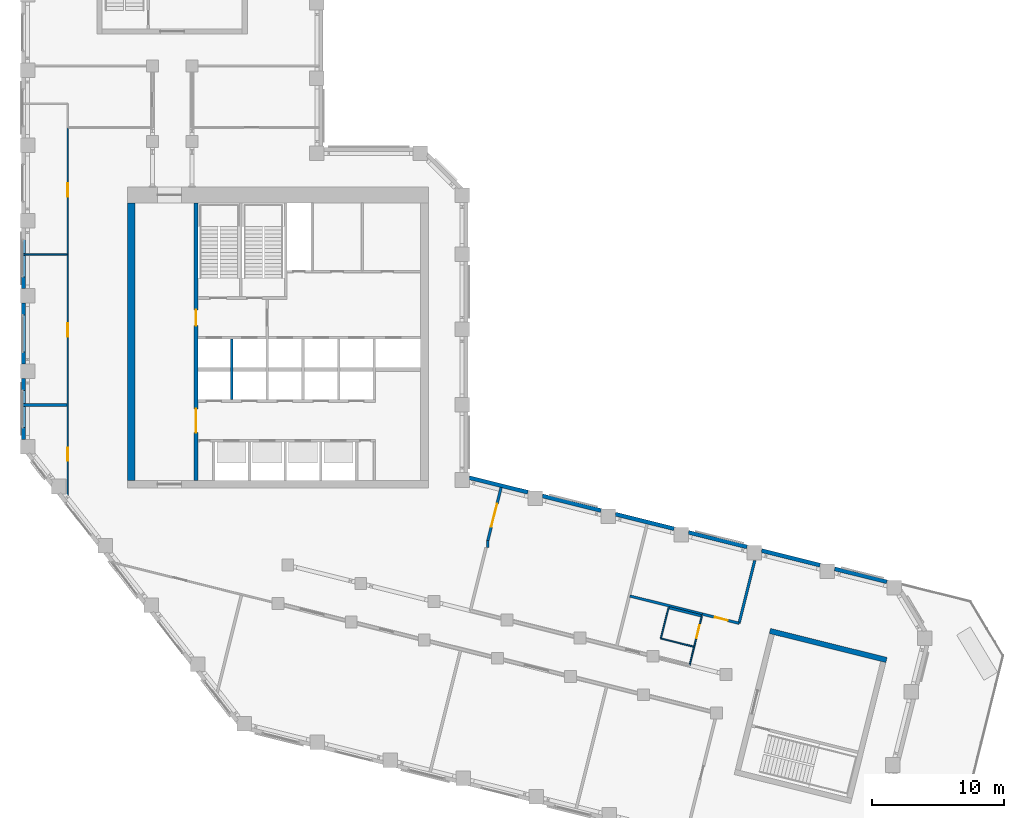
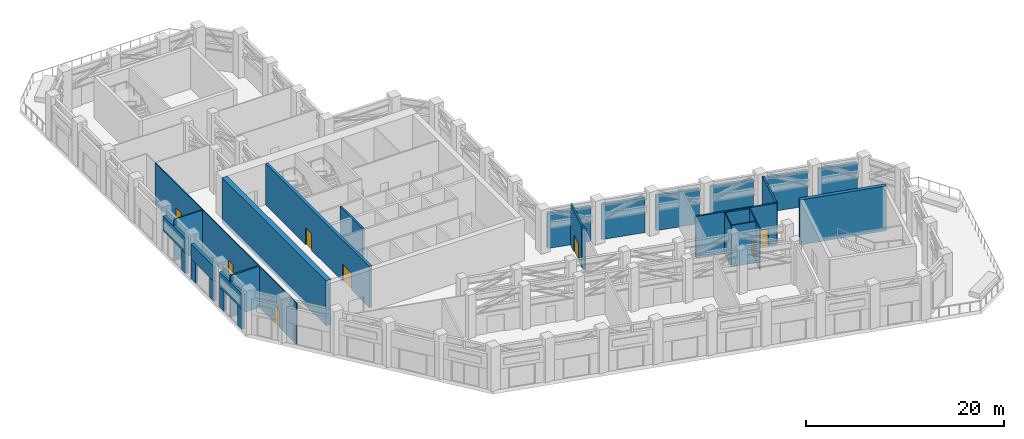
# One storey, part 13 of 21: 30 walls, 8 doors, 8 openings.
"""IFC4 building model written with IfcOpenShell, lengths in metres."""

from ifc_helpers import new_model, si_unit, direction, frame, frame_2d, origin, place, context, subcontext, project, spatial, rectangle, extrude, material, layer, layer_set, type_object, element, fill, save


model = new_model("IFC4")

# Units and contexts
model_context = context("Model", 3, precision=1e-05, world=origin(), true_north=direction((0.0, 1.0)))
body_context = subcontext(model_context, "Body", "Model", "MODEL_VIEW")
ifc_project = project(units=[si_unit("LENGTHUNIT", "METRE"), si_unit("AREAUNIT", "SQUARE_METRE"), si_unit("VOLUMEUNIT", "CUBIC_METRE"), si_unit("PLANEANGLEUNIT", "RADIAN"), si_unit("MASSUNIT", "GRAM", prefix="KILO")], contexts=[model_context])

# Site, building, storey
site_placement = place(None, origin())
site = spatial("IfcSite", under=ifc_project, at=site_placement, CompositionType="ELEMENT")
building_placement = place(site_placement, origin())
building = spatial("IfcBuilding", under=site, at=building_placement, Name="Meshkara Civic Tower", CompositionType="ELEMENT")
storey_placement = place(building_placement, frame((0.0, 0.0, 284.39990234375)))
storey = spatial("IfcBuildingStorey", under=building, at=storey_placement, Name="L65", CompositionType="ELEMENT", Elevation=284.39990234375)

# Wall
ifc_material_1 = material(Name="Concrete C60", Category="concrete")
ifc_layer_1 = layer(ifc_material_1, 0.60009765625)
ifc_layer_set_1 = layer_set([ifc_layer_1], Name="Core ring wall 600 C60")
wall_type_1 = type_object("IfcWallType", Name="Core ring wall 600 C60", PredefinedType="SHEAR", material=ifc_layer_set_1)
wall_1_placement = place(storey_placement, frame((8.300048828125, 14.699951171875, -0.449951171875), z_axis=(0.0, 0.0, 1.0), x_axis=(0.0, 1.0, 0.0)))
element("IfcWall", 1, at=wall_1_placement, inside=storey, type_object=wall_type_1, Name="L65-C003", PredefinedType="SHEAR", context=body_context, shape_type="SweptSolid", body=[
    extrude(rectangle(XDim=21.0, YDim=0.60009765625, at=frame_2d((10.5, 0.0))), origin(), (0.0, 0.0, 1.0), 5.550048828125),
])

# Wall, openings, doors
ifc_material_2 = material(Name="Concrete C60", Category="concrete")
ifc_layer_2 = layer(ifc_material_2, 0.300048828125)
ifc_layer_set_2 = layer_set([ifc_layer_2], Name="Core shear wall 300 C60")
wall_type_2 = type_object("IfcWallType", Name="Core shear wall 300 C60", PredefinedType="SHEAR", material=ifc_layer_set_2)
wall_2_placement = place(storey_placement, frame((13.199951171875, 14.699951171875, 0.0), z_axis=(0.0, 0.0, 1.0), x_axis=(0.0, 1.0, 0.0)))
wall_2 = element("IfcWall", 2, at=wall_2_placement, inside=storey, type_object=wall_type_2, Name="L65-C011", PredefinedType="SHEAR", context=body_context, shape_type="SweptSolid", body=[
    extrude(rectangle(XDim=21.0, YDim=0.300048828125, at=frame_2d((10.5, 0.0))), origin(), (0.0, 0.0, 1.0), 5.10009765625),
])
opening_1_placement = place(wall_2_placement, frame((3.60009765625, 0.0, 0.0)))
opening_1 = element("IfcOpeningElement", 3, at=opening_1_placement, cuts=wall_2, Name="Opening L65-K023", PredefinedType="OPENING", context=body_context, shape_type="SweptSolid", body=[
    extrude(rectangle(XDim=1.800048828125, YDim=2.10009765625, at=frame_2d((0.89990234375, 1.050048828125))), frame((0.0, 0.159912109375, 0.0), z_axis=(0.0, -1.0, 0.0), x_axis=(1.0, 0.0, 0.0)), (0.0, 0.0, 1.0), 0.320068359375),
])
opening_2_placement = place(wall_2_placement, frame((11.699951171875, 0.0, 0.0)))
opening_2 = element("IfcOpeningElement", 4, at=opening_2_placement, cuts=wall_2, Name="Opening L65-K024", PredefinedType="OPENING", context=body_context, shape_type="SweptSolid", body=[
    extrude(rectangle(XDim=1.199951171875, YDim=2.10009765625, at=frame_2d((0.60009765625, 1.050048828125))), frame((0.0, 0.159912109375, 0.0), z_axis=(0.0, -1.0, 0.0), x_axis=(1.0, 0.0, 0.0)), (0.0, 0.0, 1.0), 0.320068359375),
])
ifc_material_3 = material(Name="Fire-rated door leaf in steel frame", Category="steel")
door_type_1 = type_object("IfcDoorType", Name="Core double door 1800 EI 60", OperationType="DOUBLE_DOOR_SINGLE_SWING", PredefinedType="DOOR", material=ifc_material_3)
door_1_placement = place(opening_1_placement, origin())
door_1 = element("IfcDoor", 5, at=door_1_placement, inside=storey, type_object=door_type_1, Name="L65-K023", OperationType="DOUBLE_DOOR_SINGLE_SWING", OverallHeight=2.10009765625, OverallWidth=1.800048828125, PredefinedType="DOOR", context=body_context, shape_type="SweptSolid", body=[
    extrude(rectangle(XDim=1.800048828125, YDim=2.10009765625, at=frame_2d((0.89990234375, 1.050048828125))), frame((0.0, 0.02490234375, 0.0), z_axis=(0.0, -1.0, 0.0), x_axis=(1.0, 0.0, 0.0)), (0.0, 0.0, 1.0), 0.050048828125),
])
fill(opening_1, door_1)
ifc_material_4 = material(Name="Fire-rated door leaf in steel frame", Category="steel")
door_type_2 = type_object("IfcDoorType", Name="Fire-fighting lobby door 1200 EI 120", OperationType="SINGLE_SWING_LEFT", PredefinedType="DOOR", material=ifc_material_4)
door_2_placement = place(opening_2_placement, origin())
door_2 = element("IfcDoor", 6, at=door_2_placement, inside=storey, type_object=door_type_2, Name="L65-K024", OperationType="SINGLE_SWING_LEFT", OverallHeight=2.10009765625, OverallWidth=1.199951171875, PredefinedType="DOOR", context=body_context, shape_type="SweptSolid", body=[
    extrude(rectangle(XDim=1.199951171875, YDim=2.10009765625, at=frame_2d((0.60009765625, 1.050048828125))), frame((0.0, 0.02490234375, 0.0), z_axis=(0.0, -1.0, 0.0), x_axis=(1.0, 0.0, 0.0)), (0.0, 0.0, 1.0), 0.050048828125),
])
fill(opening_2, door_2)

ifc_material_5 = material(Name="Corridor wall 100")
ifc_layer_3 = layer(ifc_material_5, 0.10009765625)
ifc_layer_set_3 = layer_set([ifc_layer_3], Name="Corridor wall 100")
wall_type_3 = type_object("IfcWallType", Name="Corridor wall 100", PredefinedType="PARTITIONING", material=ifc_layer_set_3)
wall_3_placement = place(storey_placement, frame((3.5, 12.7529296875, 0.0), z_axis=(0.0, 0.0, 1.0), x_axis=(0.0, 1.0, 0.0)))
wall_3 = element("IfcWall", 7, at=wall_3_placement, inside=storey, type_object=wall_type_3, Name="L65-R002", PredefinedType="PARTITIONING", context=body_context, shape_type="SweptSolid", body=[
    extrude(rectangle(XDim=28.64697265625, YDim=0.10009765625, at=frame_2d((14.323486328125, 0.0))), origin(), (0.0, 0.0, 1.0), 5.10009765625),
])
opening_3_placement = place(wall_3_placement, frame((3.422119140625, 0.0, 0.0)))
opening_3 = element("IfcOpeningElement", 8, at=opening_3_placement, cuts=wall_3, Name="Opening L65-P009", PredefinedType="OPENING", context=body_context, shape_type="SweptSolid", body=[
    extrude(rectangle(XDim=1.0, YDim=2.10009765625, at=frame_2d((0.5, 1.050048828125))), frame((0.0, 0.06005859375, 0.0), z_axis=(0.0, -1.0, 0.0), x_axis=(1.0, 0.0, 0.0)), (0.0, 0.0, 1.0), 0.1201171875),
])
opening_4_placement = place(wall_3_placement, frame((12.826904296875, 0.0, 0.0)))
opening_4 = element("IfcOpeningElement", 9, at=opening_4_placement, cuts=wall_3, Name="Opening L65-P011", PredefinedType="OPENING", context=body_context, shape_type="SweptSolid", body=[
    extrude(rectangle(XDim=1.0, YDim=2.10009765625, at=frame_2d((0.5, 1.050048828125))), frame((0.0, 0.06005859375, 0.0), z_axis=(0.0, -1.0, 0.0), x_axis=(1.0, 0.0, 0.0)), (0.0, 0.0, 1.0), 0.1201171875),
])
opening_5_placement = place(wall_3_placement, frame((23.427001953125, 0.0, 0.0)))
opening_5 = element("IfcOpeningElement", 10, at=opening_5_placement, cuts=wall_3, Name="Opening L65-P012", PredefinedType="OPENING", context=body_context, shape_type="SweptSolid", body=[
    extrude(rectangle(XDim=1.0, YDim=2.10009765625, at=frame_2d((0.5, 1.050048828125))), frame((0.0, 0.06005859375, 0.0), z_axis=(0.0, -1.0, 0.0), x_axis=(1.0, 0.0, 0.0)), (0.0, 0.0, 1.0), 0.1201171875),
])
ifc_material_6 = material(Name="Door 1000 x 2100")
door_type_3 = type_object("IfcDoorType", Name="Door 1000 x 2100", OperationType="SINGLE_SWING_LEFT", PredefinedType="DOOR", material=ifc_material_6)
door_3_placement = place(opening_3_placement, origin())
door_3 = element("IfcDoor", 11, at=door_3_placement, inside=storey, type_object=door_type_3, Name="L65-P009", OperationType="SINGLE_SWING_LEFT", OverallHeight=2.10009765625, OverallWidth=1.0, PredefinedType="DOOR", context=body_context, shape_type="SweptSolid", body=[
    extrude(rectangle(XDim=1.0, YDim=2.10009765625, at=frame_2d((0.5, 1.050048828125))), frame((0.0, 0.02490234375, 0.0), z_axis=(0.0, -1.0, 0.0), x_axis=(1.0, 0.0, 0.0)), (0.0, 0.0, 1.0), 0.050048828125),
])
fill(opening_3, door_3)
door_4_placement = place(opening_4_placement, origin())
door_4 = element("IfcDoor", 12, at=door_4_placement, inside=storey, type_object=door_type_3, Name="L65-P011", OperationType="SINGLE_SWING_LEFT", OverallHeight=2.10009765625, OverallWidth=1.0, PredefinedType="DOOR", context=body_context, shape_type="SweptSolid", body=[
    extrude(rectangle(XDim=1.0, YDim=2.10009765625, at=frame_2d((0.5, 1.050048828125))), frame((0.0, 0.02490234375, 0.0), z_axis=(0.0, -1.0, 0.0), x_axis=(1.0, 0.0, 0.0)), (0.0, 0.0, 1.0), 0.050048828125),
])
fill(opening_4, door_4)
door_5_placement = place(opening_5_placement, origin())
door_5 = element("IfcDoor", 13, at=door_5_placement, inside=storey, type_object=door_type_3, Name="L65-P012", OperationType="SINGLE_SWING_LEFT", OverallHeight=2.10009765625, OverallWidth=1.0, PredefinedType="DOOR", context=body_context, shape_type="SweptSolid", body=[
    extrude(rectangle(XDim=1.0, YDim=2.10009765625, at=frame_2d((0.5, 1.050048828125))), frame((0.0, 0.02490234375, 0.0), z_axis=(0.0, -1.0, 0.0), x_axis=(1.0, 0.0, 0.0)), (0.0, 0.0, 1.0), 0.050048828125),
])
fill(opening_5, door_5)

# Wall, opening, door
wall_4_placement = place(storey_placement, frame((50.568115234375, 0.68701171875, 0.0), z_axis=(0.0, 0.0, 1.0), x_axis=(0.242073006689, 0.970258037551, 0.0)))
wall_4 = element("IfcWall", 14, at=wall_4_placement, inside=storey, type_object=wall_type_3, Name="L65-R022", PredefinedType="PARTITIONING", context=body_context, shape_type="SweptSolid", body=[
    extrude(rectangle(XDim=3.849609375, YDim=0.10009765625, at=frame_2d((1.9248046875, 0.0))), origin(), (0.0, 0.0, 1.0), 5.10009765625),
])
opening_6_placement = place(wall_4_placement, frame((2.1298828125, 0.0, 0.0)))
opening_6 = element("IfcOpeningElement", 15, at=opening_6_placement, cuts=wall_4, Name="Opening L65-P006", PredefinedType="OPENING", context=body_context, shape_type="SweptSolid", body=[
    extrude(rectangle(XDim=1.0, YDim=2.10009765625, at=frame_2d((0.5, 1.050048828125))), frame((0.0, 0.06005859375, 0.0), z_axis=(0.0, -1.0, 0.0), x_axis=(1.0, 0.0, 0.0)), (0.0, 0.0, 1.0), 0.1201171875),
])
door_6_placement = place(opening_6_placement, origin())
door_6 = element("IfcDoor", 16, at=door_6_placement, inside=storey, type_object=door_type_3, Name="L65-P006", OperationType="SINGLE_SWING_LEFT", OverallHeight=2.10009765625, OverallWidth=1.0, PredefinedType="DOOR", context=body_context, shape_type="SweptSolid", body=[
    extrude(rectangle(XDim=1.0, YDim=2.10009765625, at=frame_2d((0.5, 1.050048828125))), frame((0.0, 0.02490234375, 0.0), z_axis=(0.0, -1.0, 0.0), x_axis=(1.0, 0.0, 0.0)), (0.0, 0.0, 1.0), 0.050048828125),
])
fill(opening_6, door_6)

# Walls
ifc_material_7 = material(Name="Insulated infill panel with bronze anodised aluminium cladding", Category="aluminium")
ifc_layer_4 = layer(ifc_material_7, 0.300048828125)
ifc_layer_set_4 = layer_set([ifc_layer_4], Name="EXTERNAL INFILL WALL 300")
wall_type_4 = type_object("IfcWallType", Name="EXTERNAL INFILL WALL 300", PredefinedType="SOLIDWALL", material=ifc_layer_set_4)
wall_5_placement = place(storey_placement, frame((65.512939453125, 7.009033203125, 0.0), z_axis=(0.0, 0.0, 1.0), x_axis=(-0.970311173766, 0.241859930674, 0.0)))
element("IfcWall", 17, at=wall_5_placement, inside=storey, type_object=wall_type_4, Name="External wall", PredefinedType="SOLIDWALL", context=body_context, shape_type="SweptSolid", body=[
    extrude(rectangle(XDim=4.0810546875, YDim=0.300048828125, at=frame_2d((2.04052734375, 0.0))), origin(), (0.0, 0.0, 1.0), 4.35009765625),
])
wall_6_placement = place(storey_placement, frame((60.452880859375, 8.27099609375, 0.0), z_axis=(0.0, 0.0, 1.0), x_axis=(-0.97032153683, 0.241818351587, 0.0)))
element("IfcWall", 18, at=wall_6_placement, inside=storey, type_object=wall_type_4, Name="External wall", PredefinedType="SOLIDWALL", context=body_context, shape_type="SweptSolid", body=[
    extrude(rectangle(XDim=4.5654296875, YDim=0.300048828125, at=frame_2d((2.28271484375, 0.0))), origin(), (0.0, 0.0, 1.0), 4.35009765625),
])
for number, where, z_axis, x_axis, name in (
    (19, (54.923095703125, 9.64990234375, 0.0), (0.0, 0.0, 1.0), (-0.970337166083, 0.241755628927, 0.0), "External wall"),
    (20, (49.39208984375, 11.029052734375, 0.0), (0.0, 0.0, 1.0), (-0.970337166083, 0.241755628927, 0.0), "External wall"),
):
    element("IfcWall", number, at=place(storey_placement, frame(where, z_axis=z_axis, x_axis=x_axis)), inside=storey, type_object=wall_type_4, Name=name, PredefinedType="SOLIDWALL", context=body_context, shape_type="SweptSolid", body=[
        extrude(rectangle(XDim=4.566650390625, YDim=0.300048828125, at=frame_2d((2.283203125, 0.0))), origin(), (0.0, 0.0, 1.0), 4.35009765625),
    ])
wall_7_placement = place(storey_placement, frame((43.861083984375, 12.407958984375, 0.0), z_axis=(0.0, 0.0, 1.0), x_axis=(-0.970324663654, 0.241805804532, 0.0)))
element("IfcWall", 21, at=wall_7_placement, inside=storey, type_object=wall_type_4, Name="External wall", PredefinedType="SOLIDWALL", context=body_context, shape_type="SweptSolid", body=[
    extrude(rectangle(XDim=4.565673828125, YDim=0.300048828125, at=frame_2d((2.28271484375, 0.0))), origin(), (0.0, 0.0, 1.0), 4.35009765625),
])
wall_8_placement = place(storey_placement, frame((38.3310546875, 13.787109375, 0.0), z_axis=(0.0, 0.0, 1.0), x_axis=(-0.970337166083, 0.241755628927, 0.0)))
element("IfcWall", 22, at=wall_8_placement, inside=storey, type_object=wall_type_4, Name="External wall", PredefinedType="SOLIDWALL", context=body_context, shape_type="SweptSolid", body=[
    extrude(rectangle(XDim=4.566650390625, YDim=0.300048828125, at=frame_2d((2.283203125, 0.0))), origin(), (0.0, 0.0, 1.0), 4.35009765625),
])
wall_9_placement = place(storey_placement, frame((0.14990234375, 33.804931640625, 2.5), z_axis=(0.0, 0.0, 1.0), x_axis=(0.0, -1.0, 0.0)))
element("IfcWall", 23, at=wall_9_placement, inside=storey, type_object=wall_type_4, Name="External wall", PredefinedType="SOLIDWALL", context=body_context, shape_type="SweptSolid", body=[
    extrude(rectangle(XDim=4.598876953125, YDim=0.300048828125, at=frame_2d((2.29931640625, 0.0))), origin(), (0.0, 0.0, 1.0), 1.85009765625),
])
wall_10_placement = place(storey_placement, frame((0.14990234375, 28.10498046875, 2.5), z_axis=(0.0, 0.0, 1.0), x_axis=(0.0, -1.0, 0.0)))
element("IfcWall", 24, at=wall_10_placement, inside=storey, type_object=wall_type_4, Name="External wall", PredefinedType="SOLIDWALL", context=body_context, shape_type="SweptSolid", body=[
    extrude(rectangle(XDim=4.60009765625, YDim=0.300048828125, at=frame_2d((2.300048828125, 0.0))), origin(), (0.0, 0.0, 1.0), 1.85009765625),
])
wall_11_placement = place(storey_placement, frame((0.14990234375, 22.404052734375, 2.5), z_axis=(0.0, 0.0, 1.0), x_axis=(0.0, -1.0, 0.0)))
element("IfcWall", 25, at=wall_11_placement, inside=storey, type_object=wall_type_4, Name="External wall", PredefinedType="SOLIDWALL", context=body_context, shape_type="SweptSolid", body=[
    extrude(rectangle(XDim=4.59912109375, YDim=0.300048828125, at=frame_2d((2.299560546875, 0.0))), origin(), (0.0, 0.0, 1.0), 1.85009765625),
])
ifc_material_8 = material(Name="Concrete C60", Category="concrete")
ifc_layer_5 = layer(ifc_material_8, 0.39990234375)
ifc_layer_set_5 = layer_set([ifc_layer_5], Name="End core ring wall 400 C60")
wall_type_5 = type_object("IfcWallType", Name="End core ring wall 400 C60", PredefinedType="SHEAR", material=ifc_layer_set_5)
wall_12_placement = place(storey_placement, frame((56.64892578125, 3.29296875, -0.449951171875), z_axis=(0.0, 0.0, 1.0), x_axis=(0.970312696888, -0.241853820019, 0.0)))
element("IfcWall", 26, at=wall_12_placement, inside=storey, type_object=wall_type_5, Name="L65-C033", PredefinedType="SHEAR", context=body_context, shape_type="SweptSolid", body=[
    extrude(rectangle(XDim=9.100341796875, YDim=0.39990234375, at=frame_2d((4.55029296875, 0.0))), origin(), (0.0, 0.0, 1.0), 5.550048828125),
])
ifc_material_9 = material(Name="Fire-rated wall 200")
ifc_layer_6 = layer(ifc_material_9, 0.199951171875)
ifc_layer_set_6 = layer_set([ifc_layer_6], Name="Fire-rated wall 200")
wall_type_6 = type_object("IfcWallType", Name="Fire-rated wall 200", PredefinedType="PARTITIONING", material=ifc_layer_set_6)
wall_13_placement = place(storey_placement, frame((35.300048828125, 9.60009765625, 0.0), z_axis=(0.0, 0.0, 1.0), x_axis=(0.0, 1.0, 0.0)))
element("IfcWall", 27, at=wall_13_placement, inside=storey, type_object=wall_type_6, Name="L65-R013", PredefinedType="PARTITIONING", context=body_context, shape_type="SweptSolid", body=[
    extrude(rectangle(XDim=0.533935546875, YDim=0.199951171875, at=frame_2d((0.26708984375, 0.0))), origin(), (0.0, 0.0, 1.0), 5.10009765625),
])

# Wall, opening, door
wall_14_placement = place(storey_placement, frame((35.300048828125, 10.134033203125, 0.0), z_axis=(0.0, 0.0, 1.0), x_axis=(0.241926173914, 0.970294659562, 0.0)))
wall_14 = element("IfcWall", 28, at=wall_14_placement, inside=storey, type_object=wall_type_6, Name="L65-R014", PredefinedType="PARTITIONING", context=body_context, shape_type="SweptSolid", body=[
    extrude(rectangle(XDim=4.147705078125, YDim=0.199951171875, at=frame_2d((2.07373046875, 0.0))), origin(), (0.0, 0.0, 1.0), 5.10009765625),
])
opening_7_placement = place(wall_14_placement, frame((1.080078125, 0.0, 0.0)))
opening_7 = element("IfcOpeningElement", 29, at=opening_7_placement, cuts=wall_14, Name="Opening L65-P010", PredefinedType="OPENING", context=body_context, shape_type="SweptSolid", body=[
    extrude(rectangle(XDim=1.800048828125, YDim=2.10009765625, at=frame_2d((0.89990234375, 1.050048828125))), frame((0.0, 0.10986328125, 0.0), z_axis=(0.0, -1.0, 0.0), x_axis=(1.0, 0.0, 0.0)), (0.0, 0.0, 1.0), 0.219970703125),
])
ifc_material_10 = material(Name="Door pair 1800 x 2100")
door_type_4 = type_object("IfcDoorType", Name="Door pair 1800 x 2100", OperationType="SINGLE_SWING_LEFT", PredefinedType="DOOR", material=ifc_material_10)
door_7_placement = place(opening_7_placement, origin())
door_7 = element("IfcDoor", 30, at=door_7_placement, inside=storey, type_object=door_type_4, Name="L65-P010", OperationType="DOUBLE_DOOR_SINGLE_SWING", OverallHeight=2.10009765625, OverallWidth=1.800048828125, PredefinedType="DOOR", context=body_context, shape_type="SweptSolid", body=[
    extrude(rectangle(XDim=1.800048828125, YDim=2.10009765625, at=frame_2d((0.89990234375, 1.050048828125))), frame((0.0, 0.02490234375, 0.0), z_axis=(0.0, -1.0, 0.0), x_axis=(1.0, 0.0, 0.0)), (0.0, 0.0, 1.0), 0.050048828125),
])
fill(opening_7, door_7)

wall_15_placement = place(storey_placement, frame((54.321044921875, 3.8740234375, 0.0), z_axis=(0.0, 0.0, 1.0), x_axis=(-0.970322351853, 0.241815081199, 0.0)))
wall_15 = element("IfcWall", 31, at=wall_15_placement, inside=storey, type_object=wall_type_6, Name="L65-R024", PredefinedType="PARTITIONING", context=body_context, shape_type="SweptSolid", body=[
    extrude(rectangle(XDim=2.870361328125, YDim=0.199951171875, at=frame_2d((1.43505859375, 0.0))), origin(), (0.0, 0.0, 1.0), 5.10009765625),
])
opening_8_placement = place(wall_15_placement, frame((0.8798828125, 0.0, 0.0)))
opening_8 = element("IfcOpeningElement", 32, at=opening_8_placement, cuts=wall_15, Name="Opening L65-P007", PredefinedType="OPENING", context=body_context, shape_type="SweptSolid", body=[
    extrude(rectangle(XDim=1.0, YDim=2.10009765625, at=frame_2d((0.5, 1.050048828125))), frame((0.0, 0.10986328125, 0.0), z_axis=(0.0, -1.0, 0.0), x_axis=(1.0, 0.0, 0.0)), (0.0, 0.0, 1.0), 0.219970703125),
])
door_8_placement = place(opening_8_placement, origin())
door_8 = element("IfcDoor", 33, at=door_8_placement, inside=storey, type_object=door_type_3, Name="L65-P007", OperationType="SINGLE_SWING_LEFT", OverallHeight=2.10009765625, OverallWidth=1.0, PredefinedType="DOOR", context=body_context, shape_type="SweptSolid", body=[
    extrude(rectangle(XDim=1.0, YDim=2.10009765625, at=frame_2d((0.5, 1.050048828125))), frame((0.0, 0.02490234375, 0.0), z_axis=(0.0, -1.0, 0.0), x_axis=(1.0, 0.0, 0.0)), (0.0, 0.0, 1.0), 0.050048828125),
])
fill(opening_8, door_8)

# Walls
wall_16_placement = place(storey_placement, frame((55.508056640625, 8.633056640625, 0.0), z_axis=(0.0, 0.0, 1.0), x_axis=(-0.242008554381, -0.970274115705, 0.0)))
element("IfcWall", 34, at=wall_16_placement, inside=storey, type_object=wall_type_6, Name="L65-R025", PredefinedType="PARTITIONING", context=body_context, shape_type="SweptSolid", body=[
    extrude(rectangle(XDim=4.90478515625, YDim=0.199951171875, at=frame_2d((2.452392578125, 0.0))), origin(), (0.0, 0.0, 1.0), 5.10009765625),
])
wall_17_placement = place(storey_placement, frame((3.449951171875, 20.39990234375, 0.0), z_axis=(0.0, 0.0, 1.0), x_axis=(-1.0, 0.0, 0.0)))
element("IfcWall", 35, at=wall_17_placement, inside=storey, type_object=wall_type_6, Name="L65-R027", PredefinedType="PARTITIONING", context=body_context, shape_type="SweptSolid", body=[
    extrude(rectangle(XDim=3.3759765625, YDim=0.199951171875, at=frame_2d((1.68798828125, 0.0))), origin(), (0.0, 0.0, 1.0), 5.10009765625),
])
wall_18_placement = place(storey_placement, frame((48.97705078125, 5.052001953125, 0.0), z_axis=(0.0, 0.0, 1.0), x_axis=(0.970219768878, -0.242226340595, 0.0)))
element("IfcWall", 36, at=wall_18_placement, inside=storey, type_object=wall_type_6, Name="L65-R035", PredefinedType="PARTITIONING", context=body_context, shape_type="SweptSolid", body=[
    extrude(rectangle(XDim=2.600341796875, YDim=0.199951171875, at=frame_2d((1.30029296875, 0.0))), origin(), (0.0, 0.0, 1.0), 5.10009765625),
])
wall_19_placement = place(storey_placement, frame((51.5400390625, 4.56689453125, 0.0), z_axis=(0.0, 0.0, 1.0), x_axis=(-0.970271921337, 0.242017351991, 0.0)))
element("IfcWall", 37, at=wall_19_placement, inside=storey, type_object=wall_type_6, Name="L65-R037", PredefinedType="PARTITIONING", context=body_context, shape_type="SweptSolid", body=[
    extrude(rectangle(XDim=5.653076171875, YDim=0.199951171875, at=frame_2d((2.82666015625, 0.0))), origin(), (0.0, 0.0, 1.0), 5.10009765625),
])
ifc_material_11 = material(Name="Partition 100")
ifc_layer_7 = layer(ifc_material_11, 0.10009765625)
ifc_layer_set_7 = layer_set([ifc_layer_7], Name="Partition 100")
wall_type_7 = type_object("IfcWallType", Name="Partition 100", PredefinedType="PARTITIONING", material=ifc_layer_set_7)
wall_20_placement = place(storey_placement, frame((3.449951171875, 31.800048828125, 0.0), z_axis=(0.0, 0.0, 1.0), x_axis=(-1.0, 0.0, 0.0)))
element("IfcWall", 38, at=wall_20_placement, inside=storey, type_object=wall_type_7, Name="L65-R028", PredefinedType="PARTITIONING", context=body_context, shape_type="SweptSolid", body=[
    extrude(rectangle(XDim=3.3759765625, YDim=0.10009765625, at=frame_2d((1.68798828125, 0.0))), origin(), (0.0, 0.0, 1.0), 5.10009765625),
])
wall_21_placement = place(storey_placement, frame((48.39599609375, 2.722900390625, 0.0), z_axis=(0.0, 0.0, 1.0), x_axis=(0.242056985565, 0.970262034576, 0.0)))
element("IfcWall", 39, at=wall_21_placement, inside=storey, type_object=wall_type_7, Name="L65-R034", PredefinedType="PARTITIONING", context=body_context, shape_type="SweptSolid", body=[
    extrude(rectangle(XDim=2.400390625, YDim=0.10009765625, at=frame_2d((1.2001953125, 0.0))), origin(), (0.0, 0.0, 1.0), 5.10009765625),
])
wall_22_placement = place(storey_placement, frame((50.8701171875, 2.10595703125, 0.0), z_axis=(0.0, 0.0, 1.0), x_axis=(-0.970288758197, 0.241949841323, 0.0)))
element("IfcWall", 40, at=wall_22_placement, inside=storey, type_object=wall_type_7, Name="L65-R036", PredefinedType="PARTITIONING", context=body_context, shape_type="SweptSolid", body=[
    extrude(rectangle(XDim=2.5498046875, YDim=0.10009765625, at=frame_2d((1.27490234375, 0.0))), origin(), (0.0, 0.0, 1.0), 5.10009765625),
])
ifc_material_12 = material(Name="Concrete C50", Category="concrete")
ifc_layer_8 = layer(ifc_material_12, 0.300048828125)
ifc_layer_set_8 = layer_set([ifc_layer_8], Name="SKY LOBBY PIER 300")
wall_type_8 = type_object("IfcWallType", Name="SKY LOBBY PIER 300", PredefinedType="SOLIDWALL", material=ifc_layer_set_8)
wall_23_placement = place(storey_placement, frame((0.14990234375, 30.10498046875, 0.0), z_axis=(0.0, 0.0, 1.0), x_axis=(0.0, -1.0, 0.0)))
element("IfcWall", 41, at=wall_23_placement, inside=storey, type_object=wall_type_8, Name="Sky lobby pier", PredefinedType="SOLIDWALL", context=body_context, shape_type="SweptSolid", body=[
    extrude(rectangle(XDim=0.89892578125, YDim=0.300048828125, at=frame_2d((0.449462890625, 0.0))), origin(), (0.0, 0.0, 1.0), 2.5),
])
wall_24_placement = place(storey_placement, frame((0.14990234375, 28.10498046875, 0.0), z_axis=(0.0, 0.0, 1.0), x_axis=(0.0, -1.0, 0.0)))
element("IfcWall", 42, at=wall_24_placement, inside=storey, type_object=wall_type_8, Name="Sky lobby pier", PredefinedType="SOLIDWALL", context=body_context, shape_type="SweptSolid", body=[
    extrude(rectangle(XDim=0.89990234375, YDim=0.300048828125, at=frame_2d((0.449951171875, 0.0))), origin(), (0.0, 0.0, 1.0), 2.5),
])
wall_25_placement = place(storey_placement, frame((0.14990234375, 24.405029296875, 0.0), z_axis=(0.0, 0.0, 1.0), x_axis=(0.0, -1.0, 0.0)))
element("IfcWall", 43, at=wall_25_placement, inside=storey, type_object=wall_type_8, Name="Sky lobby pier", PredefinedType="SOLIDWALL", context=body_context, shape_type="SweptSolid", body=[
    extrude(rectangle(XDim=0.900146484375, YDim=0.300048828125, at=frame_2d((0.4501953125, 0.0))), origin(), (0.0, 0.0, 1.0), 2.5),
])
wall_26_placement = place(storey_placement, frame((0.14990234375, 22.404052734375, 0.0), z_axis=(0.0, 0.0, 1.0), x_axis=(0.0, -1.0, 0.0)))
element("IfcWall", 44, at=wall_26_placement, inside=storey, type_object=wall_type_8, Name="Sky lobby pier", PredefinedType="SOLIDWALL", context=body_context, shape_type="SweptSolid", body=[
    extrude(rectangle(XDim=0.899169921875, YDim=0.300048828125, at=frame_2d((0.44970703125, 0.0))), origin(), (0.0, 0.0, 1.0), 2.5),
])
wall_27_placement = place(storey_placement, frame((0.14990234375, 18.705078125, 0.0), z_axis=(0.0, 0.0, 1.0), x_axis=(0.0, -1.0, 0.0)))
element("IfcWall", 45, at=wall_27_placement, inside=storey, type_object=wall_type_8, Name="Sky lobby pier", PredefinedType="SOLIDWALL", context=body_context, shape_type="SweptSolid", body=[
    extrude(rectangle(XDim=0.900146484375, YDim=0.300048828125, at=frame_2d((0.4501953125, 0.0))), origin(), (0.0, 0.0, 1.0), 2.5),
])
ifc_material_13 = material(Name="Concrete C40/50", Category="concrete")
ifc_layer_9 = layer(ifc_material_13, 0.199951171875)
ifc_layer_set_9 = layer_set([ifc_layer_9], Name="Shaft wall 200 C40/50")
wall_type_9 = type_object("IfcWallType", Name="Shaft wall 200 C40/50", PredefinedType="SOLIDWALL", material=ifc_layer_set_9)
wall_28_placement = place(storey_placement, frame((15.89990234375, 20.800048828125, 0.0), z_axis=(0.0, 0.0, 1.0), x_axis=(0.0, 1.0, 0.0)))
element("IfcWall", 46, at=wall_28_placement, inside=storey, type_object=wall_type_9, Name="L65-C013", PredefinedType="SOLIDWALL", context=body_context, shape_type="SweptSolid", body=[
    extrude(rectangle(XDim=4.599853515625, YDim=0.199951171875, at=frame_2d((2.2998046875, 0.0))), origin(), (0.0, 0.0, 1.0), 5.10009765625),
])

save(model, "model.ifc")
